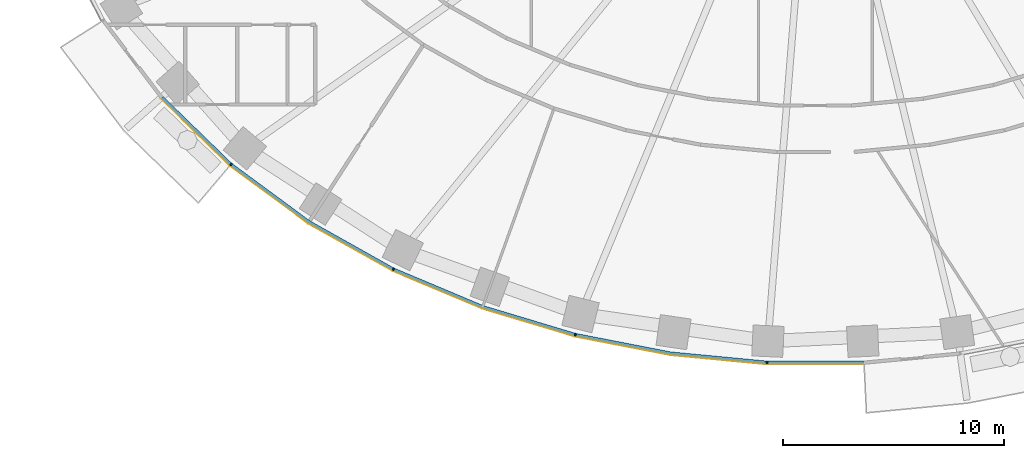
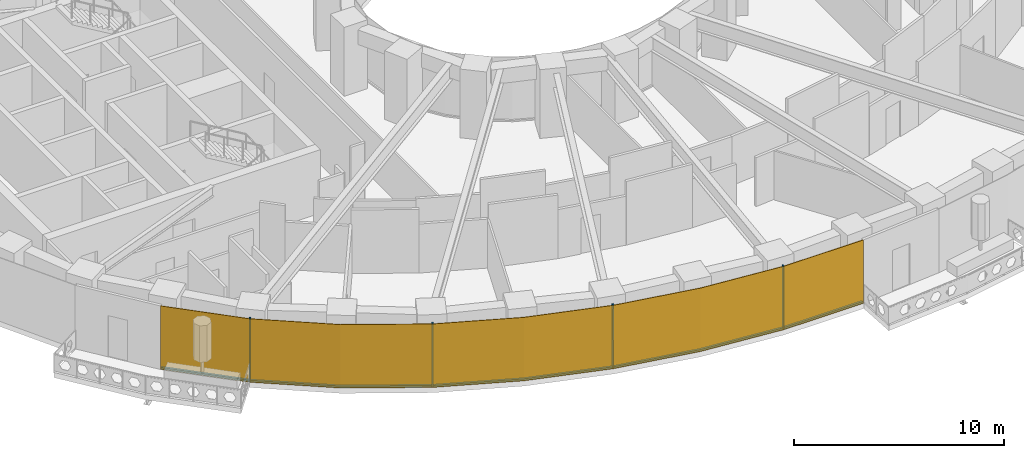
# One storey, part 8 of 16: 9 members, 1 curtain wall.
"""IFC4 building model written with IfcOpenShell, lengths in metres."""

from ifc_helpers import new_model, si_unit, direction, frame, origin, origin_2d, place, context, subcontext, project, spatial, polyline, rectangle, outline, extrude, material, layer, layer_set, material_profile, profile_set, type_object, element, aggregate, save


model = new_model("IFC4")

# Units and contexts
model_context = context("Model", 3, precision=1e-05, world=origin(), true_north=direction((0.0, 1.0)))
body_context = subcontext(model_context, "Body", "Model", "MODEL_VIEW")
ifc_project = project(units=[si_unit("LENGTHUNIT", "METRE"), si_unit("AREAUNIT", "SQUARE_METRE"), si_unit("VOLUMEUNIT", "CUBIC_METRE"), si_unit("PLANEANGLEUNIT", "RADIAN"), si_unit("MASSUNIT", "GRAM", prefix="KILO")], contexts=[model_context])

# Member
ifc_material_1 = material(Name="Aluminium 6063-T6 black anodised", Category="aluminium")
ifc_material_profile = material_profile(ifc_material_1, rectangle(XDim=0.1201171875, YDim=0.06005859375, at=origin_2d()), Name="120x60")
ifc_profile_set = profile_set([ifc_material_profile], Name="Aluminium 6063-T6 black anodised")
member_type_1 = type_object("IfcMemberType", Name="ENV-MULLION-A-120", PredefinedType="MULLION", material=ifc_profile_set)
site_placement = place(None, origin())
building_placement = place(site_placement, origin())
storey_placement = place(building_placement, frame((0.0, 0.0, 66.5)))
member_1_placement = place(storey_placement, frame((-26.403564453125, -18.9130859375, 0.0), z_axis=(0.0, 0.0, 1.0), x_axis=(0.646451313783, 0.762955240435, 0.0)))
member_1 = element("IfcMember", 1, at=member_1_placement, type_object=member_type_1, Name="Mullion A radial 29", PredefinedType="MULLION", context=body_context, shape_type="SweptSolid", body=[
    extrude(rectangle(XDim=0.1201171875, YDim=0.06005859375, at=origin_2d()), origin(), (0.0, 0.0, 1.0), 3.699951171875),
])

member_2_placement = place(storey_placement, frame((-19.06787109375, -23.6474609375, 0.0), z_axis=(0.0, 0.0, 1.0), x_axis=(0.439237769837, 0.898370848563, 0.0)))
member_2 = element("IfcMember", 2, at=member_2_placement, type_object=member_type_1, Name="Mullion A radial 31", PredefinedType="MULLION", context=body_context, shape_type="SweptSolid", body=[
    extrude(rectangle(XDim=0.1201171875, YDim=0.06005859375, at=origin_2d()), origin(), (0.0, 0.0, 1.0), 3.699951171875),
])

member_3_placement = place(storey_placement, frame((-10.84326171875, -26.60498046875, 0.0), z_axis=(0.0, 0.0, 1.0), x_axis=(0.239799081534, 0.970822538106, 0.0)))
member_3 = element("IfcMember", 3, at=member_3_placement, type_object=member_type_1, Name="Mullion A radial 33", PredefinedType="MULLION", context=body_context, shape_type="SweptSolid", body=[
    extrude(rectangle(XDim=0.1201171875, YDim=0.06005859375, at=origin_2d()), origin(), (0.0, 0.0, 1.0), 3.699951171875),
])

member_4_placement = place(storey_placement, frame((-2.188720703125, -27.856201171875, 0.0), z_axis=(0.0, 0.0, 1.0), x_axis=(0.047557873581, 0.998868484166, 0.0)))
member_4 = element("IfcMember", 4, at=member_4_placement, type_object=member_type_1, Name="Mullion A radial 35", PredefinedType="MULLION", context=body_context, shape_type="SweptSolid", body=[
    extrude(rectangle(XDim=0.1201171875, YDim=0.06005859375, at=origin_2d()), origin(), (0.0, 0.0, 1.0), 3.699951171875),
])

ifc_material_2 = material(Name="Aluminium 6063-T6 black anodised", Category="aluminium")
member_type_2 = type_object("IfcMemberType", Name="ENV-TRANSOM-A", PredefinedType="USERDEFINED", material=ifc_material_2)
member_5_placement = place(storey_placement, origin())
member_5 = element("IfcMember", 5, at=member_5_placement, type_object=member_type_2, Name="Transom A radial 28-29", ObjectType="TRANSOM", PredefinedType="USERDEFINED", context=body_context, shape_type="SweptSolid", body=[
    extrude(outline(polyline([(-29.569091796875, -15.9208984375), (-26.46240234375, -18.939208984375), (-26.384765625, -18.847412109375), (-29.47900390625, -15.841064453125), (-29.569091796875, -15.9208984375)])), origin(), (0.0, 0.0, 1.0), 0.10009765625),
])

member_6_placement = place(storey_placement, origin())
member_6 = element("IfcMember", 6, at=member_6_placement, type_object=member_type_2, Name="Transom A radial 29-31", ObjectType="TRANSOM", PredefinedType="USERDEFINED", context=body_context, shape_type="SweptSolid", body=[
    extrude(outline(polyline([(-26.419921875, -18.975341796875), (-22.9150390625, -21.556884765625), (-19.11865234375, -23.687744140625), (-19.06591796875, -23.57958984375), (-22.85009765625, -21.455810546875), (-26.342041015625, -18.883544921875), (-26.419921875, -18.975341796875)])), origin(), (0.0, 0.0, 1.0), 0.10009765625),
])

member_7_placement = place(storey_placement, origin())
member_7 = element("IfcMember", 7, at=member_7_placement, type_object=member_type_2, Name="Transom A radial 31-33", ObjectType="TRANSOM", PredefinedType="USERDEFINED", context=body_context, shape_type="SweptSolid", body=[
    extrude(outline(polyline([(-19.068359375, -23.71240234375), (-15.054443359375, -25.400146484375), (-10.884521484375, -26.655029296875), (-10.855712890625, -26.53857421875), (-15.013916015625, -25.287109375), (-19.015380859375, -23.604248046875), (-19.068359375, -23.71240234375)])), origin(), (0.0, 0.0, 1.0), 0.10009765625),
])

member_8_placement = place(storey_placement, origin())
member_8 = element("IfcMember", 8, at=member_8_placement, type_object=member_type_2, Name="Transom A radial 33-35", ObjectType="TRANSOM", PredefinedType="USERDEFINED", context=body_context, shape_type="SweptSolid", body=[
    extrude(outline(polyline([(-10.830078125, -26.66845703125), (-6.55517578125, -27.49951171875), (-2.219482421875, -27.913330078125), (-2.2138671875, -27.793212890625), (-6.537841796875, -27.380615234375), (-10.80126953125, -26.552001953125), (-10.830078125, -26.66845703125)])), origin(), (0.0, 0.0, 1.0), 0.10009765625),
])

member_9_placement = place(storey_placement, origin())
member_9 = element("IfcMember", 9, at=member_9_placement, type_object=member_type_2, Name="Transom A radial 35-36", ObjectType="TRANSOM", PredefinedType="USERDEFINED", context=body_context, shape_type="SweptSolid", body=[
    extrude(outline(polyline([(-2.163818359375, -27.916015625), (2.171630859375, -27.916015625), (2.166015625, -27.7958984375), (-2.157958984375, -27.7958984375), (-2.163818359375, -27.916015625)])), origin(), (0.0, 0.0, 1.0), 0.10009765625),
])

# Site, building, storey
site = spatial("IfcSite", under=ifc_project, at=site_placement, CompositionType="ELEMENT")
building = spatial("IfcBuilding", under=site, at=building_placement, Name="Noorbagh Ring Tower", CompositionType="ELEMENT")
storey = spatial("IfcBuildingStorey", under=building, at=storey_placement, Name="L14", CompositionType="ELEMENT", Elevation=66.5)

# Curtain wall
ifc_material_3 = material(Name="Glass dark tinted laminated", Category="glass")
ifc_layer = layer(ifc_material_3, 0.031982421875)
ifc_layer_set = layer_set([ifc_layer], Name="Glass dark tinted laminated")
curtain_wall_type = type_object("IfcCurtainWallType", Name="ENV-CW-A", PredefinedType="NOTDEFINED", material=ifc_layer_set)
curtain_wall_placement = place(storey_placement, origin())
curtain_wall = element("IfcCurtainWall", 10, at=curtain_wall_placement, inside=storey, type_object=curtain_wall_type, Name="Curtain wall A R28", PredefinedType="NOTDEFINED", context=body_context, shape_type="SweptSolid", body=[
    extrude(outline(polyline([(-29.59326171875, -15.942138671875), (-26.463134765625, -18.9833984375), (-22.9326171875, -21.583740234375), (-19.108154296875, -23.730224609375), (-15.065185546875, -25.430419921875), (-10.865234375, -26.6943359375), (-6.559814453125, -27.53125), (-2.193115234375, -27.947998046875), (2.173095703125, -27.947998046875), (2.171630859375, -27.916015625), (-2.191650390625, -27.916015625), (-6.55517578125, -27.49951171875), (-10.857666015625, -26.6630859375), (-15.054443359375, -25.400146484375), (-19.093994140625, -23.701416015625), (-22.9150390625, -21.556884765625), (-26.4423828125, -18.958740234375), (-29.569091796875, -15.9208984375), (-29.59326171875, -15.942138671875)])), origin(), (0.0, 0.0, 1.0), 3.699951171875),
])

aggregate(curtain_wall, [member_1, member_2, member_3, member_4, member_5, member_6, member_7, member_8, member_9])

save(model, "model.ifc")
